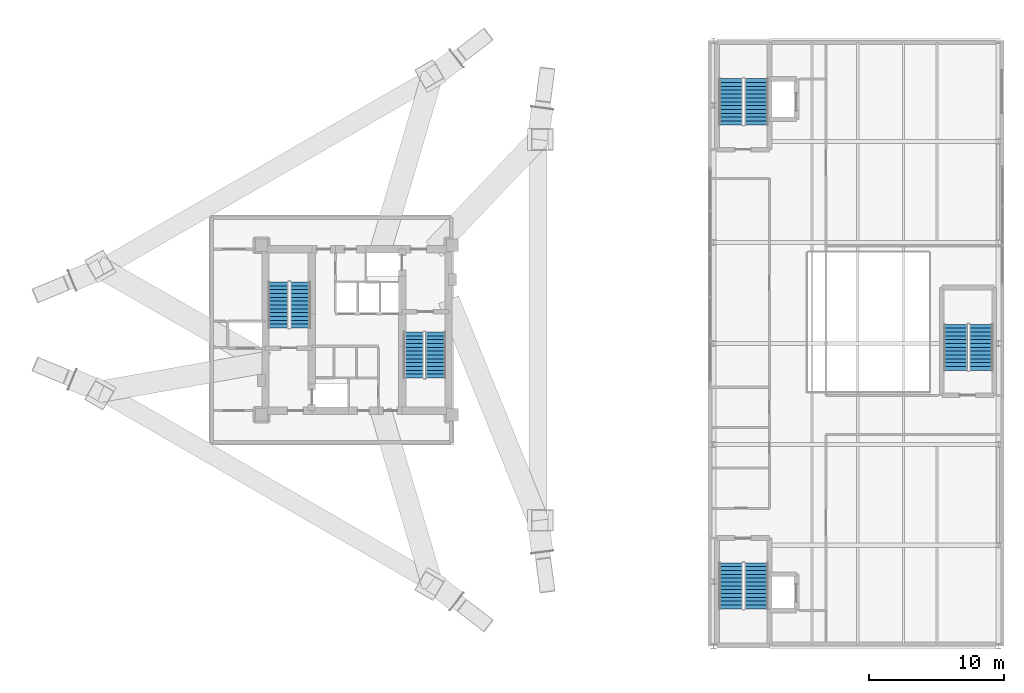
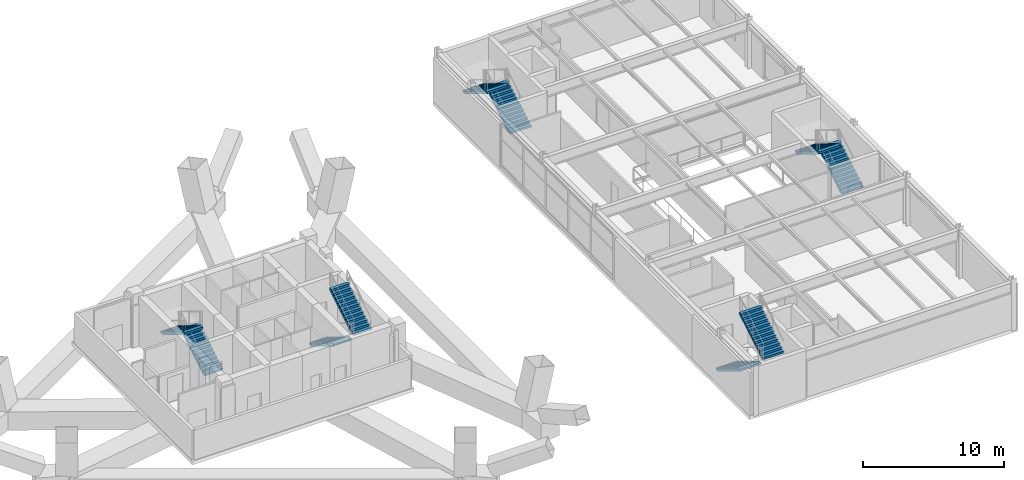
# One storey, part 14 of 16: 10 stair flights, 5 elements without a shape of their own.
"""IFC4 building model written with IfcOpenShell, lengths in metres."""

import ifcopenshell
import ifcopenshell.guid

model = None  # the IFC model being written
_history = None  # IfcOwnerHistory: only IFC2X3 demands one
_inside = {}  # id of a spatial element -> (the spatial element, [elements in it])
_under = {}  # id of a project, library or spatial element -> (it, [spatial elements below it])
_declared = {}  # id of a project -> (the project, [libraries it declares])
_typed = {}  # id of a type object -> (the type object, [elements of that type])
_made_of = {}  # id of a material, layer set ... -> (it, [elements and type objects made of it])


def new_model(schema):
    """Start an empty IFC model of exactly this schema.

    Asked for "IFC4X3", IfcOpenShell would pick the latest addendum, in which some entities
    have other attributes; the version numbers below select the first issue.
    IFC2X3 requires an IfcOwnerHistory on every rooted entity: one is made here for all.
    """
    global model, _history
    if schema == "IFC4X3":
        model = ifcopenshell.file(schema_version=(4, 3, 0, 0))
    else:
        model = ifcopenshell.file(schema=schema)
    _inside.clear()
    _under.clear()
    _declared.clear()
    _typed.clear()
    _made_of.clear()
    _history = None
    if model.schema == "IFC2X3":
        org = make("IfcOrganization", Name="unknown")
        user = make(
            "IfcPersonAndOrganization",
            ThePerson=make("IfcPerson", FamilyName="unknown"),
            TheOrganization=org,
        )
        app = make(
            "IfcApplication",
            ApplicationDeveloper=org,
            Version="unknown",
            ApplicationFullName="unknown",
            ApplicationIdentifier="unknown",
        )
        _history = make(
            "IfcOwnerHistory",
            OwningUser=user,
            OwningApplication=app,
            ChangeAction="ADDED",
            CreationDate=0,
        )
    return model


def make(cls, **values):
    """One entity of the class cls with the attributes given. An attribute that is None is left unset."""
    return model.create_entity(
        cls, **{name: value for name, value in values.items() if value is not None}
    )


def rooted(cls, **values):
    """An entity with a GlobalId (a new one), such as an element, a storey or a relation."""
    return make(cls, GlobalId=ifcopenshell.guid.new(), OwnerHistory=_history, **values)


def si_unit(unit_type, name, prefix=None):
    """IfcSIUnit, for example si_unit("LENGTHUNIT", "METRE", prefix="MILLI")."""
    return make("IfcSIUnit", UnitType=unit_type, Prefix=prefix, Name=name)


def assignment(units):
    """IfcUnitAssignment: the units of a project."""
    return None if units is None else make("IfcUnitAssignment", Units=units)


def point(xyz):
    """IfcCartesianPoint."""
    return None if xyz is None else make("IfcCartesianPoint", Coordinates=xyz)


def direction(xyz):
    """IfcDirection."""
    return None if xyz is None else make("IfcDirection", DirectionRatios=xyz)


def frame(location, z_axis=None, x_axis=None):
    """IfcAxis2Placement3D, a coordinate frame: its origin and axes. An axis left out is left unset."""
    return make(
        "IfcAxis2Placement3D",
        Location=point(location),
        Axis=direction(z_axis),
        RefDirection=direction(x_axis),
    )


def origin():
    """The frame at (0, 0, 0) with its axes left unset."""
    return frame((0.0, 0.0, 0.0))


def place(relative_to, where):
    """IfcLocalPlacement: puts the frame where relative to a parent placement (None: the world)."""
    return make(
        "IfcLocalPlacement", PlacementRelTo=relative_to, RelativePlacement=where
    )


def context(
    kind, dimensions, precision=None, world=None, true_north=None, identifier=None
):
    """IfcGeometricRepresentationContext, for example the 3D "Model" context."""
    return make(
        "IfcGeometricRepresentationContext",
        ContextIdentifier=identifier,
        ContextType=kind,
        CoordinateSpaceDimension=dimensions,
        Precision=precision,
        WorldCoordinateSystem=world,
        TrueNorth=true_north,
    )


def subcontext(parent, identifier, kind, view, scale=None):
    """IfcGeometricRepresentationSubContext, for example "Body" below "Model"."""
    return make(
        "IfcGeometricRepresentationSubContext",
        ContextIdentifier=identifier,
        ContextType=kind,
        ParentContext=parent,
        TargetScale=scale,
        TargetView=view,
    )


def project(units=None, contexts=None):
    """IfcProject with its units and contexts."""
    return rooted(
        "IfcProject",
        Name="project",
        RepresentationContexts=contexts,
        UnitsInContext=assignment(units),
    )


def spatial(cls, under=None, at=None, **own):
    """A site, building, storey or space (cls), placed at a placement, below another one or the project."""
    s = rooted(cls, ObjectPlacement=at, **own)
    if under is not None:
        _under.setdefault(under.id(), (under, []))[1].append(s)
    return s


def polyline(points):
    """IfcPolyline through the points."""
    return make("IfcPolyline", Points=[point(p) for p in points])


def outline(outer, holes=None, kind="AREA"):
    """IfcArbitraryClosedProfileDef: a profile drawn as a closed curve; with holes, ...WithVoids."""
    if holes is None:
        return make("IfcArbitraryClosedProfileDef", ProfileType=kind, OuterCurve=outer)
    return make(
        "IfcArbitraryProfileDefWithVoids",
        ProfileType=kind,
        OuterCurve=outer,
        InnerCurves=holes,
    )


def extrude(swept, where, along, depth):
    """IfcExtrudedAreaSolid: the profile swept, set in the frame where, extruded along a direction by depth."""
    return make(
        "IfcExtrudedAreaSolid",
        SweptArea=swept,
        Position=where,
        ExtrudedDirection=direction(along),
        Depth=depth,
    )


def shape(context_of_items, identifier, shape_type, items):
    """IfcShapeRepresentation: the items that make up one representation, for example the "Body"."""
    return make(
        "IfcShapeRepresentation",
        ContextOfItems=context_of_items,
        RepresentationIdentifier=identifier,
        RepresentationType=shape_type,
        Items=items,
    )


def material(Name=None, Category=None):
    """IfcMaterial."""
    return make("IfcMaterial", Name=Name, Category=Category)


def made_of(thing, what):
    """Note that an element or type object is made of a material, layer set ...; save() writes the relation."""
    if what is not None:
        _made_of.setdefault(what.id(), (what, []))[1].append(thing)
    return thing


def type_object(cls, material=None, **own):
    """A type object (cls), such as IfcWallType, which elements share."""
    return made_of(rooted(cls, **own), material)


def element(
    cls,
    number,
    at=None,
    inside=None,
    cuts=None,
    type_object=None,
    material=None,
    context=None,
    identifier="Body",
    shape_type=None,
    held_by="IfcProductDefinitionShape",
    body=None,
    shapes=None,
    **own,
):
    """One element of the class cls, such as IfcWall. Its Tag is "e" and its number.

    at: its placement. inside: the storey or other place that contains it. cuts: it is an
    opening in that element (IfcRelVoidsElement). A single representation is given by context,
    identifier, shape_type and body (its items); several are given by shapes. held_by: the class
    of the entity that holds the representations. save() writes the other relations.
    """
    e = rooted(cls, Tag="e%d" % number, ObjectPlacement=at, **own)
    if body is not None:
        shapes = [shape(context, identifier, shape_type, body)]
    if shapes is not None:
        e.Representation = make(held_by, Representations=shapes)
    if inside is not None:
        _inside.setdefault(inside.id(), (inside, []))[1].append(e)
    if cuts is not None:
        rooted(
            "IfcRelVoidsElement", RelatingBuildingElement=cuts, RelatedOpeningElement=e
        )
    if type_object is not None:
        _typed.setdefault(type_object.id(), (type_object, []))[1].append(e)
    return made_of(e, material)


def aggregate(whole, parts):
    """IfcRelAggregates: a whole, such as a stair, and the parts it consists of."""
    return rooted("IfcRelAggregates", RelatingObject=whole, RelatedObjects=parts)


def save(model, path):
    """Write the relations noted so far, then the file.

    IfcRelAggregates (storeys below a building ...), IfcRelContainedInSpatialStructure (elements
    in a storey), IfcRelDefinesByType, IfcRelAssociatesMaterial and IfcRelDeclares: one each for
    every whole, place, type object, material and project.
    """
    for whole, parts in _under.values():
        aggregate(whole, parts)
    for where, things in _inside.values():
        rooted(
            "IfcRelContainedInSpatialStructure",
            RelatedElements=things,
            RelatingStructure=where,
        )
    for kind, things in _typed.values():
        rooted("IfcRelDefinesByType", RelatedObjects=things, RelatingType=kind)
    for what, things in _made_of.values():
        rooted("IfcRelAssociatesMaterial", RelatedObjects=things, RelatingMaterial=what)
    for by, libraries in _declared.values():
        rooted("IfcRelDeclares", RelatingContext=by, RelatedDefinitions=libraries)
    model.write(path)


model = new_model("IFC4")

# Units and contexts
model_context = context("Model", 3, precision=1e-05, world=origin(), true_north=direction((0.0, 1.0)))
body_context = subcontext(model_context, "Body", "Model", "MODEL_VIEW")
ifc_project = project(units=[si_unit("LENGTHUNIT", "METRE"), si_unit("AREAUNIT", "SQUARE_METRE"), si_unit("VOLUMEUNIT", "CUBIC_METRE"), si_unit("PLANEANGLEUNIT", "RADIAN"), si_unit("MASSUNIT", "GRAM", prefix="KILO")], contexts=[model_context])

# Site, building, storey
site_placement = place(None, origin())
site = spatial("IfcSite", under=ifc_project, at=site_placement, CompositionType="ELEMENT")
building_placement = place(site_placement, origin())
building = spatial("IfcBuilding", under=site, at=building_placement, Name="Mersakhor Tower and Convention Hall", CompositionType="ELEMENT")
storey_placement = place(building_placement, frame((0.0, 0.0, 5.10009765625)))
storey = spatial("IfcBuildingStorey", under=building, at=storey_placement, Name="L01", CompositionType="ELEMENT", Elevation=5.10009765625)

# Stair, stair flights
ifc_material_1 = material(Name="Concrete C45/55", Category="concrete")
stair_type_1 = type_object("IfcStairType", Name="ST-CNV-26R", PredefinedType="HALF_TURN_STAIR", material=ifc_material_1)
stair_1_placement = place(storey_placement, origin())
stair_1 = element("IfcStair", 1, at=stair_1_placement, inside=storey, type_object=stair_type_1, Name="L01 Convention Hall Exit Stair CH-ST1", PredefinedType="HALF_TURN_STAIR")
ifc_material_2 = material(Name="Concrete C45/55", Category="concrete")
stair_flight_type_1 = type_object("IfcStairFlightType", Name="SFL-CNV-26R", PredefinedType="STRAIGHT", material=ifc_material_2)
stair_flight_1_placement = place(storey_placement, frame((56.77490234375, 9.449951171875, 0.0), z_axis=(0.0, 0.0, 1.0), x_axis=(0.0, -1.0, 0.0)))
stair_flight_1 = element("IfcStairFlight", 2, at=stair_flight_1_placement, type_object=stair_flight_type_1, Name="CH-ST1 flight 1", NumberOfRisers=13, NumberOfTreads=12, PredefinedType="STRAIGHT", RiserHeight=0.173076923, TreadLength=0.285, context=body_context, shape_type="SweptSolid", body=[
    extrude(outline(polyline([(0.0, 0.0), (0.0, 0.173095703125), (0.284912109375, 0.173095703125), (0.284912109375, 0.34619140625), (0.570068359375, 0.34619140625), (0.570068359375, 0.519287109375), (0.85498046875, 0.519287109375), (0.85498046875, 0.6923828125), (1.139892578125, 0.6923828125), (1.139892578125, 0.865478515625), (1.425048828125, 0.865478515625), (1.425048828125, 1.03857421875), (1.7099609375, 1.03857421875), (1.7099609375, 1.21142578125), (1.9951171875, 1.21142578125), (1.9951171875, 1.384521484375), (2.280029296875, 1.384521484375), (2.280029296875, 1.5576171875), (2.56494140625, 1.5576171875), (2.56494140625, 1.730712890625), (2.85009765625, 1.730712890625), (2.85009765625, 1.90380859375), (3.135009765625, 1.90380859375), (3.135009765625, 2.076904296875), (3.419921875, 2.076904296875), (3.419921875, 2.25), (3.419921875, 1.901611328125), (0.288818359375, 0.0), (0.0, 0.0)])), frame((0.0, 0.875, 0.0), z_axis=(0.0, -1.0, 0.0), x_axis=(1.0, 0.0, 0.0)), (0.0, 0.0, 1.0), 1.75),
])
stair_flight_2_placement = place(storey_placement, frame((58.675048828125, 6.030029296875, 2.25), z_axis=(0.0, 0.0, 1.0), x_axis=(0.0, 1.0, 0.0)))
stair_flight_2 = element("IfcStairFlight", 3, at=stair_flight_2_placement, type_object=stair_flight_type_1, Name="CH-ST1 flight 2", NumberOfRisers=13, NumberOfTreads=12, PredefinedType="STRAIGHT", RiserHeight=0.173076923, TreadLength=0.285, context=body_context, shape_type="SweptSolid", body=[
    extrude(outline(polyline([(0.0, 0.0), (0.0, 0.173095703125), (0.284912109375, 0.173095703125), (0.284912109375, 0.34619140625), (0.570068359375, 0.34619140625), (0.570068359375, 0.519287109375), (0.85498046875, 0.519287109375), (0.85498046875, 0.6923828125), (1.139892578125, 0.6923828125), (1.139892578125, 0.865478515625), (1.425048828125, 0.865478515625), (1.425048828125, 1.03857421875), (1.7099609375, 1.03857421875), (1.7099609375, 1.21142578125), (1.9951171875, 1.21142578125), (1.9951171875, 1.384521484375), (2.280029296875, 1.384521484375), (2.280029296875, 1.5576171875), (2.56494140625, 1.5576171875), (2.56494140625, 1.730712890625), (2.85009765625, 1.730712890625), (2.85009765625, 1.90380859375), (3.135009765625, 1.90380859375), (3.135009765625, 2.076904296875), (3.419921875, 2.076904296875), (3.419921875, 2.25), (3.419921875, 1.901611328125), (0.288818359375, 0.0), (0.0, 0.0)])), frame((0.0, 0.875, 0.0), z_axis=(0.0, -1.0, 0.0), x_axis=(1.0, 0.0, 0.0)), (0.0, 0.0, 1.0), 1.75),
])
aggregate(stair_1, [stair_flight_1, stair_flight_2])

stair_2_placement = place(storey_placement, origin())
stair_2 = element("IfcStair", 4, at=stair_2_placement, inside=storey, type_object=stair_type_1, Name="L01 Convention Hall Exit Stair CH-ST2", PredefinedType="HALF_TURN_STAIR")
stair_flight_3_placement = place(storey_placement, frame((58.675048828125, 42.0, 0.0), z_axis=(0.0, 0.0, 1.0), x_axis=(0.0, 1.0, 0.0)))
stair_flight_3 = element("IfcStairFlight", 5, at=stair_flight_3_placement, type_object=stair_flight_type_1, Name="CH-ST2 flight 1", NumberOfRisers=13, NumberOfTreads=12, PredefinedType="STRAIGHT", RiserHeight=0.173076923, TreadLength=0.285, context=body_context, shape_type="SweptSolid", body=[
    extrude(outline(polyline([(0.0, 0.0), (0.0, 0.173095703125), (0.284912109375, 0.173095703125), (0.284912109375, 0.34619140625), (0.570068359375, 0.34619140625), (0.570068359375, 0.519287109375), (0.85498046875, 0.519287109375), (0.85498046875, 0.6923828125), (1.139892578125, 0.6923828125), (1.139892578125, 0.865478515625), (1.425048828125, 0.865478515625), (1.425048828125, 1.03857421875), (1.7099609375, 1.03857421875), (1.7099609375, 1.21142578125), (1.9951171875, 1.21142578125), (1.9951171875, 1.384521484375), (2.280029296875, 1.384521484375), (2.280029296875, 1.5576171875), (2.56494140625, 1.5576171875), (2.56494140625, 1.730712890625), (2.85009765625, 1.730712890625), (2.85009765625, 1.90380859375), (3.135009765625, 1.90380859375), (3.135009765625, 2.076904296875), (3.419921875, 2.076904296875), (3.419921875, 2.25), (3.419921875, 1.901611328125), (0.288818359375, 0.0), (0.0, 0.0)])), frame((0.0, 0.875, 0.0), z_axis=(0.0, -1.0, 0.0), x_axis=(1.0, 0.0, 0.0)), (0.0, 0.0, 1.0), 1.75),
])
stair_flight_4_placement = place(storey_placement, frame((56.77490234375, 45.419921875, 2.25), z_axis=(0.0, 0.0, 1.0), x_axis=(0.0, -1.0, 0.0)))
stair_flight_4 = element("IfcStairFlight", 6, at=stair_flight_4_placement, type_object=stair_flight_type_1, Name="CH-ST2 flight 2", NumberOfRisers=13, NumberOfTreads=12, PredefinedType="STRAIGHT", RiserHeight=0.173076923, TreadLength=0.285, context=body_context, shape_type="SweptSolid", body=[
    extrude(outline(polyline([(0.0, 0.0), (0.0, 0.173095703125), (0.284912109375, 0.173095703125), (0.284912109375, 0.34619140625), (0.570068359375, 0.34619140625), (0.570068359375, 0.519287109375), (0.85498046875, 0.519287109375), (0.85498046875, 0.6923828125), (1.139892578125, 0.6923828125), (1.139892578125, 0.865478515625), (1.425048828125, 0.865478515625), (1.425048828125, 1.03857421875), (1.7099609375, 1.03857421875), (1.7099609375, 1.21142578125), (1.9951171875, 1.21142578125), (1.9951171875, 1.384521484375), (2.280029296875, 1.384521484375), (2.280029296875, 1.5576171875), (2.56494140625, 1.5576171875), (2.56494140625, 1.730712890625), (2.85009765625, 1.730712890625), (2.85009765625, 1.90380859375), (3.135009765625, 1.90380859375), (3.135009765625, 2.076904296875), (3.419921875, 2.076904296875), (3.419921875, 2.25), (3.419921875, 1.901611328125), (0.288818359375, 0.0), (0.0, 0.0)])), frame((0.0, 0.875, 0.0), z_axis=(0.0, -1.0, 0.0), x_axis=(1.0, 0.0, 0.0)), (0.0, 0.0, 1.0), 1.75),
])
aggregate(stair_2, [stair_flight_3, stair_flight_4])

stair_3_placement = place(storey_placement, origin())
stair_3 = element("IfcStair", 7, at=stair_3_placement, inside=storey, type_object=stair_type_1, Name="L01 Convention Hall Exit Stair CH-ST3", PredefinedType="HALF_TURN_STAIR")
stair_flight_5_placement = place(storey_placement, frame((75.375, 23.75, 0.0), z_axis=(0.0, 0.0, 1.0), x_axis=(0.0, 1.0, 0.0)))
stair_flight_5 = element("IfcStairFlight", 8, at=stair_flight_5_placement, type_object=stair_flight_type_1, Name="CH-ST3 flight 1", NumberOfRisers=13, NumberOfTreads=12, PredefinedType="STRAIGHT", RiserHeight=0.173076923, TreadLength=0.285, context=body_context, shape_type="SweptSolid", body=[
    extrude(outline(polyline([(0.0, 0.0), (0.0, 0.173095703125), (0.284912109375, 0.173095703125), (0.284912109375, 0.34619140625), (0.570068359375, 0.34619140625), (0.570068359375, 0.519287109375), (0.85498046875, 0.519287109375), (0.85498046875, 0.6923828125), (1.139892578125, 0.6923828125), (1.139892578125, 0.865478515625), (1.425048828125, 0.865478515625), (1.425048828125, 1.03857421875), (1.7099609375, 1.03857421875), (1.7099609375, 1.21142578125), (1.9951171875, 1.21142578125), (1.9951171875, 1.384521484375), (2.280029296875, 1.384521484375), (2.280029296875, 1.5576171875), (2.56494140625, 1.5576171875), (2.56494140625, 1.730712890625), (2.85009765625, 1.730712890625), (2.85009765625, 1.90380859375), (3.135009765625, 1.90380859375), (3.135009765625, 2.076904296875), (3.419921875, 2.076904296875), (3.419921875, 2.25), (3.419921875, 1.901611328125), (0.288818359375, 0.0), (0.0, 0.0)])), frame((0.0, 0.875, 0.0), z_axis=(0.0, -1.0, 0.0), x_axis=(1.0, 0.0, 0.0)), (0.0, 0.0, 1.0), 1.75),
])
stair_flight_6_placement = place(storey_placement, frame((73.47509765625, 27.169921875, 2.25), z_axis=(0.0, 0.0, 1.0), x_axis=(0.0, -1.0, 0.0)))
stair_flight_6 = element("IfcStairFlight", 9, at=stair_flight_6_placement, type_object=stair_flight_type_1, Name="CH-ST3 flight 2", NumberOfRisers=13, NumberOfTreads=12, PredefinedType="STRAIGHT", RiserHeight=0.173076923, TreadLength=0.285, context=body_context, shape_type="SweptSolid", body=[
    extrude(outline(polyline([(0.0, 0.0), (0.0, 0.173095703125), (0.284912109375, 0.173095703125), (0.284912109375, 0.34619140625), (0.570068359375, 0.34619140625), (0.570068359375, 0.519287109375), (0.85498046875, 0.519287109375), (0.85498046875, 0.6923828125), (1.139892578125, 0.6923828125), (1.139892578125, 0.865478515625), (1.425048828125, 0.865478515625), (1.425048828125, 1.03857421875), (1.7099609375, 1.03857421875), (1.7099609375, 1.21142578125), (1.9951171875, 1.21142578125), (1.9951171875, 1.384521484375), (2.280029296875, 1.384521484375), (2.280029296875, 1.5576171875), (2.56494140625, 1.5576171875), (2.56494140625, 1.730712890625), (2.85009765625, 1.730712890625), (2.85009765625, 1.90380859375), (3.135009765625, 1.90380859375), (3.135009765625, 2.076904296875), (3.419921875, 2.076904296875), (3.419921875, 2.25), (3.419921875, 1.901611328125), (0.288818359375, 0.0), (0.0, 0.0)])), frame((0.0, 0.875, 0.0), z_axis=(0.0, -1.0, 0.0), x_axis=(1.0, 0.0, 0.0)), (0.0, 0.0, 1.0), 1.75),
])
aggregate(stair_3, [stair_flight_5, stair_flight_6])

ifc_material_3 = material(Name="Concrete C45/55", Category="concrete")
stair_type_2 = type_object("IfcStairType", Name="ST-TWR-26R", PredefinedType="HALF_TURN_STAIR", material=ifc_material_3)
stair_4_placement = place(storey_placement, origin())
stair_4 = element("IfcStair", 10, at=stair_4_placement, inside=storey, type_object=stair_type_2, Name="L01 Tower Protected Exit Stair ST-1", PredefinedType="HALF_TURN_STAIR")
ifc_material_4 = material(Name="Concrete C45/55", Category="concrete")
stair_flight_type_2 = type_object("IfcStairFlightType", Name="SFL-TWR-26R", PredefinedType="STRAIGHT", material=ifc_material_4)
stair_flight_7_placement = place(storey_placement, frame((24.800048828125, 26.89990234375, 0.0), z_axis=(0.0, 0.0, 1.0), x_axis=(0.0, 1.0, 0.0)))
stair_flight_7 = element("IfcStairFlight", 11, at=stair_flight_7_placement, type_object=stair_flight_type_2, Name="ST-1 flight 1", NumberOfRisers=13, NumberOfTreads=12, PredefinedType="STRAIGHT", RiserHeight=0.173076923, TreadLength=0.285, context=body_context, shape_type="SweptSolid", body=[
    extrude(outline(polyline([(0.0, 0.0), (0.0, 0.173095703125), (0.284912109375, 0.173095703125), (0.284912109375, 0.34619140625), (0.570068359375, 0.34619140625), (0.570068359375, 0.519287109375), (0.85498046875, 0.519287109375), (0.85498046875, 0.6923828125), (1.139892578125, 0.6923828125), (1.139892578125, 0.865478515625), (1.425048828125, 0.865478515625), (1.425048828125, 1.03857421875), (1.7099609375, 1.03857421875), (1.7099609375, 1.21142578125), (1.9951171875, 1.21142578125), (1.9951171875, 1.384521484375), (2.280029296875, 1.384521484375), (2.280029296875, 1.5576171875), (2.56494140625, 1.5576171875), (2.56494140625, 1.730712890625), (2.85009765625, 1.730712890625), (2.85009765625, 1.90380859375), (3.135009765625, 1.90380859375), (3.135009765625, 2.076904296875), (3.419921875, 2.076904296875), (3.419921875, 2.25), (3.419921875, 1.901611328125), (0.288818359375, 0.0), (0.0, 0.0)])), frame((0.0, 0.75, 0.0), z_axis=(0.0, -1.0, 0.0), x_axis=(1.0, 0.0, 0.0)), (0.0, 0.0, 1.0), 1.5),
])
stair_flight_8_placement = place(storey_placement, frame((23.14990234375, 30.320068359375, 2.25), z_axis=(0.0, 0.0, 1.0), x_axis=(0.0, -1.0, 0.0)))
stair_flight_8 = element("IfcStairFlight", 12, at=stair_flight_8_placement, type_object=stair_flight_type_2, Name="ST-1 flight 2", NumberOfRisers=13, NumberOfTreads=12, PredefinedType="STRAIGHT", RiserHeight=0.173076923, TreadLength=0.285, context=body_context, shape_type="SweptSolid", body=[
    extrude(outline(polyline([(0.0, 0.0), (0.0, 0.173095703125), (0.284912109375, 0.173095703125), (0.284912109375, 0.34619140625), (0.570068359375, 0.34619140625), (0.570068359375, 0.519287109375), (0.85498046875, 0.519287109375), (0.85498046875, 0.6923828125), (1.139892578125, 0.6923828125), (1.139892578125, 0.865478515625), (1.425048828125, 0.865478515625), (1.425048828125, 1.03857421875), (1.7099609375, 1.03857421875), (1.7099609375, 1.21142578125), (1.9951171875, 1.21142578125), (1.9951171875, 1.384521484375), (2.280029296875, 1.384521484375), (2.280029296875, 1.5576171875), (2.56494140625, 1.5576171875), (2.56494140625, 1.730712890625), (2.85009765625, 1.730712890625), (2.85009765625, 1.90380859375), (3.135009765625, 1.90380859375), (3.135009765625, 2.076904296875), (3.419921875, 2.076904296875), (3.419921875, 2.25), (3.419921875, 1.901611328125), (0.288818359375, 0.0), (0.0, 0.0)])), frame((0.0, 0.75, 0.0), z_axis=(0.0, -1.0, 0.0), x_axis=(1.0, 0.0, 0.0)), (0.0, 0.0, 1.0), 1.5),
])
aggregate(stair_4, [stair_flight_7, stair_flight_8])

stair_5_placement = place(storey_placement, origin())
stair_5 = element("IfcStair", 13, at=stair_5_placement, inside=storey, type_object=stair_type_2, Name="L01 Tower Protected Exit Stair ST-2", PredefinedType="HALF_TURN_STAIR")
stair_flight_9_placement = place(storey_placement, frame((33.199951171875, 26.60009765625, 0.0), z_axis=(0.0, 0.0, 1.0), x_axis=(0.0, -1.0, 0.0)))
stair_flight_9 = element("IfcStairFlight", 14, at=stair_flight_9_placement, type_object=stair_flight_type_2, Name="ST-2 flight 1", NumberOfRisers=13, NumberOfTreads=12, PredefinedType="STRAIGHT", RiserHeight=0.173076923, TreadLength=0.285, context=body_context, shape_type="SweptSolid", body=[
    extrude(outline(polyline([(0.0, 0.0), (0.0, 0.173095703125), (0.284912109375, 0.173095703125), (0.284912109375, 0.34619140625), (0.570068359375, 0.34619140625), (0.570068359375, 0.519287109375), (0.85498046875, 0.519287109375), (0.85498046875, 0.6923828125), (1.139892578125, 0.6923828125), (1.139892578125, 0.865478515625), (1.425048828125, 0.865478515625), (1.425048828125, 1.03857421875), (1.7099609375, 1.03857421875), (1.7099609375, 1.21142578125), (1.9951171875, 1.21142578125), (1.9951171875, 1.384521484375), (2.280029296875, 1.384521484375), (2.280029296875, 1.5576171875), (2.56494140625, 1.5576171875), (2.56494140625, 1.730712890625), (2.85009765625, 1.730712890625), (2.85009765625, 1.90380859375), (3.135009765625, 1.90380859375), (3.135009765625, 2.076904296875), (3.419921875, 2.076904296875), (3.419921875, 2.25), (3.419921875, 1.901611328125), (0.288818359375, 0.0), (0.0, 0.0)])), frame((0.0, 0.75, 0.0), z_axis=(0.0, -1.0, 0.0), x_axis=(1.0, 0.0, 0.0)), (0.0, 0.0, 1.0), 1.5),
])
stair_flight_10_placement = place(storey_placement, frame((34.85009765625, 23.179931640625, 2.25), z_axis=(0.0, 0.0, 1.0), x_axis=(0.0, 1.0, 0.0)))
stair_flight_10 = element("IfcStairFlight", 15, at=stair_flight_10_placement, type_object=stair_flight_type_2, Name="ST-2 flight 2", NumberOfRisers=13, NumberOfTreads=12, PredefinedType="STRAIGHT", RiserHeight=0.173076923, TreadLength=0.285, context=body_context, shape_type="SweptSolid", body=[
    extrude(outline(polyline([(0.0, 0.0), (0.0, 0.173095703125), (0.284912109375, 0.173095703125), (0.284912109375, 0.34619140625), (0.570068359375, 0.34619140625), (0.570068359375, 0.519287109375), (0.85498046875, 0.519287109375), (0.85498046875, 0.6923828125), (1.139892578125, 0.6923828125), (1.139892578125, 0.865478515625), (1.425048828125, 0.865478515625), (1.425048828125, 1.03857421875), (1.7099609375, 1.03857421875), (1.7099609375, 1.21142578125), (1.9951171875, 1.21142578125), (1.9951171875, 1.384521484375), (2.280029296875, 1.384521484375), (2.280029296875, 1.5576171875), (2.56494140625, 1.5576171875), (2.56494140625, 1.730712890625), (2.85009765625, 1.730712890625), (2.85009765625, 1.90380859375), (3.135009765625, 1.90380859375), (3.135009765625, 2.076904296875), (3.419921875, 2.076904296875), (3.419921875, 2.25), (3.419921875, 1.901611328125), (0.288818359375, 0.0), (0.0, 0.0)])), frame((0.0, 0.75, 0.0), z_axis=(0.0, -1.0, 0.0), x_axis=(1.0, 0.0, 0.0)), (0.0, 0.0, 1.0), 1.5),
])
aggregate(stair_5, [stair_flight_9, stair_flight_10])

save(model, "model.ifc")
